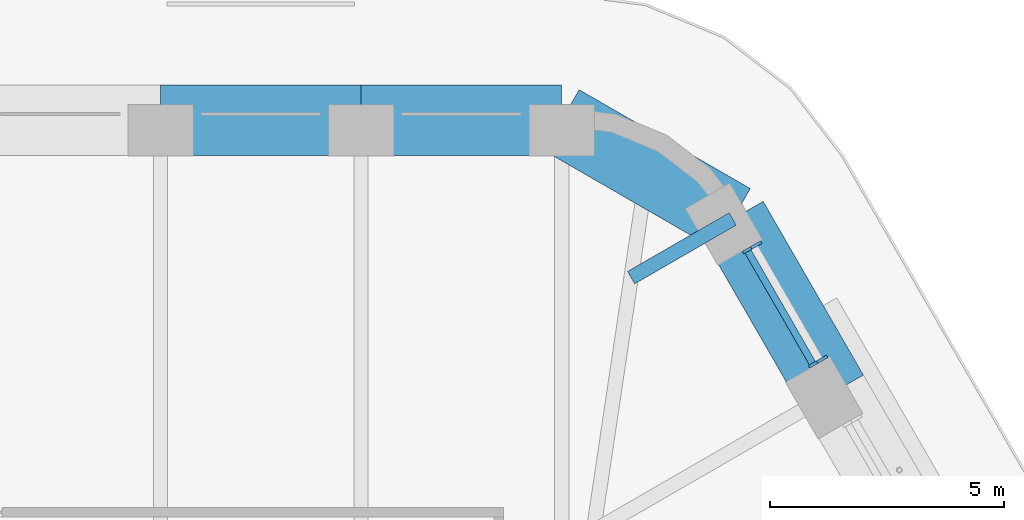
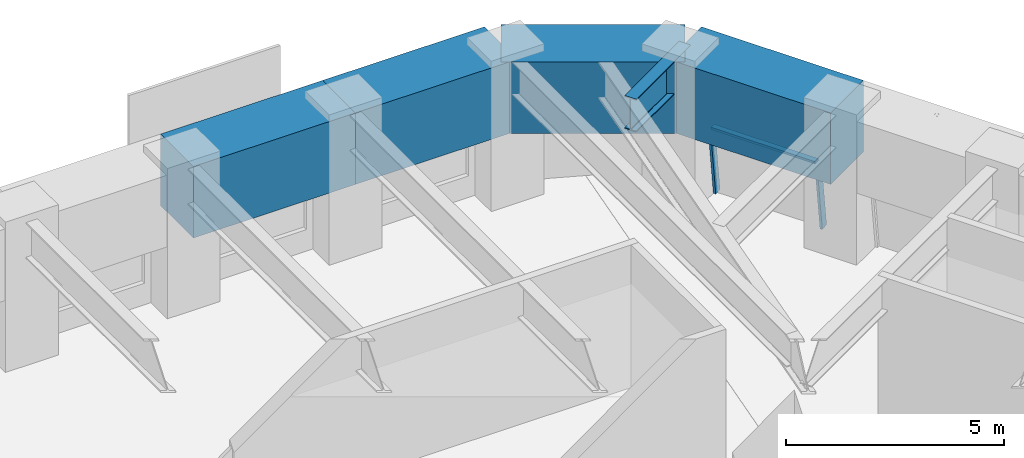
# One storey, part 11 of 18: 5 beams, 3 members, 1 element without a shape of its own.
"""IFC4 building model written with IfcOpenShell, lengths in metres."""

from ifc_helpers import new_model, si_unit, direction, frame, origin, origin_2d, place, context, subcontext, project, spatial, rectangle, i_section, extrude, material, material_profile, profile_set, type_object, element, aggregate, save


model = new_model("IFC4")

# Units and contexts
model_context = context("Model", 3, precision=1e-05, world=origin(), true_north=direction((0.0, 1.0)))
body_context = subcontext(model_context, "Body", "Model", "MODEL_VIEW")
ifc_project = project(units=[si_unit("LENGTHUNIT", "METRE"), si_unit("AREAUNIT", "SQUARE_METRE"), si_unit("VOLUMEUNIT", "CUBIC_METRE"), si_unit("PLANEANGLEUNIT", "RADIAN"), si_unit("MASSUNIT", "GRAM", prefix="KILO")], contexts=[model_context])

# Site, building, storey
site_placement = place(None, origin())
site = spatial("IfcSite", under=ifc_project, at=site_placement, CompositionType="ELEMENT")
building_placement = place(site_placement, origin())
building = spatial("IfcBuilding", under=site, at=building_placement, Name="Tarfa Lantern Tower", CompositionType="ELEMENT")
storey_placement = place(building_placement, frame((0.0, 0.0, 324.10009765625)))
storey = spatial("IfcBuildingStorey", under=building, at=storey_placement, Name="L73", CompositionType="ELEMENT", Elevation=324.10009765625)

# Curtain wall, members
ifc_material_1 = material(Name="Aluminium framed curtain wall", Category="aluminium")
curtain_wall_type = type_object("IfcCurtainWallType", Name="CW4 CANTED GLAZING EXECUTIVE ZONE 2000", PredefinedType="USERDEFINED", material=ifc_material_1)
curtain_wall_placement = place(storey_placement, origin())
curtain_wall = element("IfcCurtainWall", 1, at=curtain_wall_placement, inside=storey, type_object=curtain_wall_type, Name="CW4 NE L73", ObjectType="CURTAIN WALL", PredefinedType="USERDEFINED")
ifc_material_2 = material(Name="Aluminium mullion", Category="aluminium")
ifc_material_profile_1 = material_profile(ifc_material_2, rectangle(XDim=0.06494140625, YDim=0.199951171875, at=origin_2d()), Name="AL MULLION 65x200")
ifc_profile_set_1 = profile_set([ifc_material_profile_1], Name="Aluminium mullion")
member_type_1 = type_object("IfcMemberType", Name="CWM1 MULLION 65x200", PredefinedType="MULLION", material=ifc_profile_set_1)
member_1_placement = place(storey_placement, frame((18.431396484375, 21.3759765625, 0.0), z_axis=(-0.107439978116, -0.062017213975, 0.992275423596), x_axis=(0.499919672301, -0.866071776036, 0.0)))
member_1 = element("IfcMember", 2, at=member_1_placement, type_object=member_type_1, Name="CW4 mullion 1", PredefinedType="MULLION", context=body_context, shape_type="SweptSolid", body=[
    extrude(rectangle(XDim=0.06494140625, YDim=0.199951171875, at=origin_2d()), origin(), (0.0, 0.0, 1.0), 2.015625),
])
member_2_placement = place(storey_placement, frame((17.022705078125, 23.815673828125, 0.0), z_axis=(-0.107320246625, -0.062018020623, 0.992288329964), x_axis=(0.500342721131, -0.865827443207, 0.0)))
member_2 = element("IfcMember", 3, at=member_2_placement, type_object=member_type_1, Name="CW4 mullion 2", PredefinedType="MULLION", context=body_context, shape_type="SweptSolid", body=[
    extrude(rectangle(XDim=0.06494140625, YDim=0.199951171875, at=origin_2d()), origin(), (0.0, 0.0, 1.0), 2.015625),
])
ifc_material_3 = material(Name="Aluminium transom", Category="aluminium")
ifc_material_profile_2 = material_profile(ifc_material_3, rectangle(XDim=0.14990234375, YDim=0.06494140625, at=origin_2d()), Name="AL TRANSOM 150x65")
ifc_profile_set_2 = profile_set([ifc_material_profile_2], Name="Aluminium transom")
member_type_2 = type_object("IfcMemberType", Name="CWT1 TRANSOM 150x65", PredefinedType="USERDEFINED", material=ifc_profile_set_2)
member_3_placement = place(storey_placement, frame((18.2021484375, 21.28125, 1.96728515625), z_axis=(-0.499993790352, 0.866028988896, 0.0), x_axis=(-0.866028988896, -0.499993790352, 0.0)))
member_3 = element("IfcMember", 4, at=member_3_placement, type_object=member_type_2, Name="CW4 transom 1.2", ObjectType="TRANSOM", PredefinedType="USERDEFINED", context=body_context, shape_type="SweptSolid", body=[
    extrude(rectangle(XDim=0.14990234375, YDim=0.06494140625, at=origin_2d()), origin(), (0.0, 0.0, 1.0), 2.751953125),
])
aggregate(curtain_wall, [member_1, member_2, member_3])

# Beams
ifc_material_4 = material(Name="Concrete C80/95", Category="concrete")
ifc_material_profile_3 = material_profile(ifc_material_4, rectangle(XDim=1.5, YDim=2.0, at=origin_2d()), Name="RC 1500x2000")
ifc_profile_set_3 = profile_set([ifc_material_profile_3], Name="Concrete C80/95")
beam_type_1 = type_object("IfcBeamType", Name="RB3 RC 1500x2000", PredefinedType="BEAM", material=ifc_profile_set_3)
beam_1_placement = place(storey_placement, frame((18.6416015625, 20.651611328125, 3.0), z_axis=(-0.499959351497, 0.866048870937, 0.0), x_axis=(-0.866048870937, -0.499959351497, 0.0)))
element("IfcBeam", 5, at=beam_1_placement, inside=storey, type_object=beam_type_1, Name="Edge beam NE5", PredefinedType="BEAM", context=body_context, shape_type="SweptSolid", body=[
    extrude(rectangle(XDim=1.5, YDim=2.0, at=origin_2d()), origin(), (0.0, 0.0, 1.0), 4.281982421875),
])
beam_2_placement = place(storey_placement, frame((16.500732421875, 24.360107421875, 3.0), z_axis=(-0.866048788483, 0.499959494327, 0.0), x_axis=(-0.499959494327, -0.866048788483, 0.0)))
element("IfcBeam", 6, at=beam_2_placement, inside=storey, type_object=beam_type_1, Name="Edge beam NE6", PredefinedType="BEAM", context=body_context, shape_type="SweptSolid", body=[
    extrude(rectangle(XDim=1.5, YDim=2.0, at=origin_2d()), origin(), (0.0, 0.0, 1.0), 4.219970703125),
])
for number, where, z_axis, x_axis, name in (
    (7, (12.845947265625, 26.469970703125, 3.0), (-1.0, 0.0, 0.0), (0.0, -1.0, 0.0), "Edge beam N0"),
    (8, (8.56396484375, 26.469970703125, 3.0), (-1.0, 0.0, 0.0), (0.0, -1.0, 0.0), "Edge beam N1"),
):
    element("IfcBeam", number, at=place(storey_placement, frame(where, z_axis=z_axis, x_axis=x_axis)), inside=storey, type_object=beam_type_1, Name=name, PredefinedType="BEAM", context=body_context, shape_type="SweptSolid", body=[
        extrude(rectangle(XDim=1.5, YDim=2.0, at=origin_2d()), origin(), (0.0, 0.0, 1.0), 4.281982421875),
    ])
ifc_material_5 = material(Name="Steel S460M", Category="steel")
ifc_material_profile_4 = material_profile(ifc_material_5, i_section(OverallWidth=0.305419921875, OverallDepth=0.91845703125, WebThickness=0.017333984375, FlangeThickness=0.02783203125, FilletRadius=0.01904296875, at=origin_2d()), Name="UB914x305x253")
ifc_profile_set_4 = profile_set([ifc_material_profile_4], Name="Steel S460M")
beam_type_2 = type_object("IfcBeamType", Name="UB914x305x253", PredefinedType="BEAM", material=ifc_profile_set_4)
beam_3_placement = place(storey_placement, frame((16.500732421875, 24.360107421875, 3.540771484375), z_axis=(-0.865992557167, -0.500056887695, 0.0), x_axis=(0.500056887695, -0.865992557167, 0.0)))
element("IfcBeam", 9, at=beam_3_placement, inside=storey, type_object=beam_type_2, Name="Floor beam NE6", PredefinedType="BEAM", context=body_context, shape_type="SweptSolid", body=[
    extrude(i_section(OverallWidth=0.305419921875, OverallDepth=0.91845703125, WebThickness=0.017333984375, FlangeThickness=0.02783203125, FilletRadius=0.01904296875, at=origin_2d()), origin(), (0.0, 0.0, 1.0), 2.506591796875),
])

save(model, "model.ifc")
